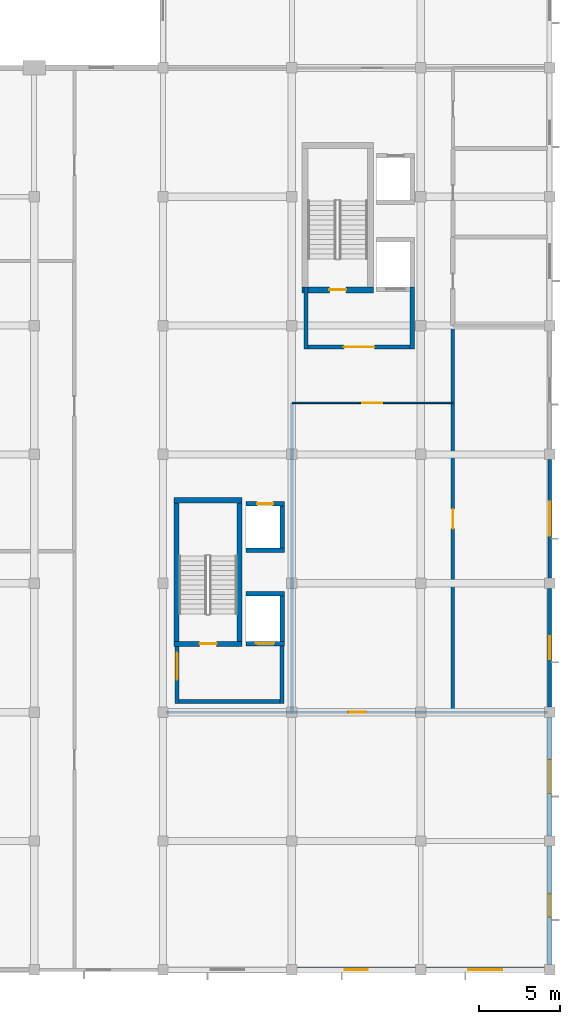
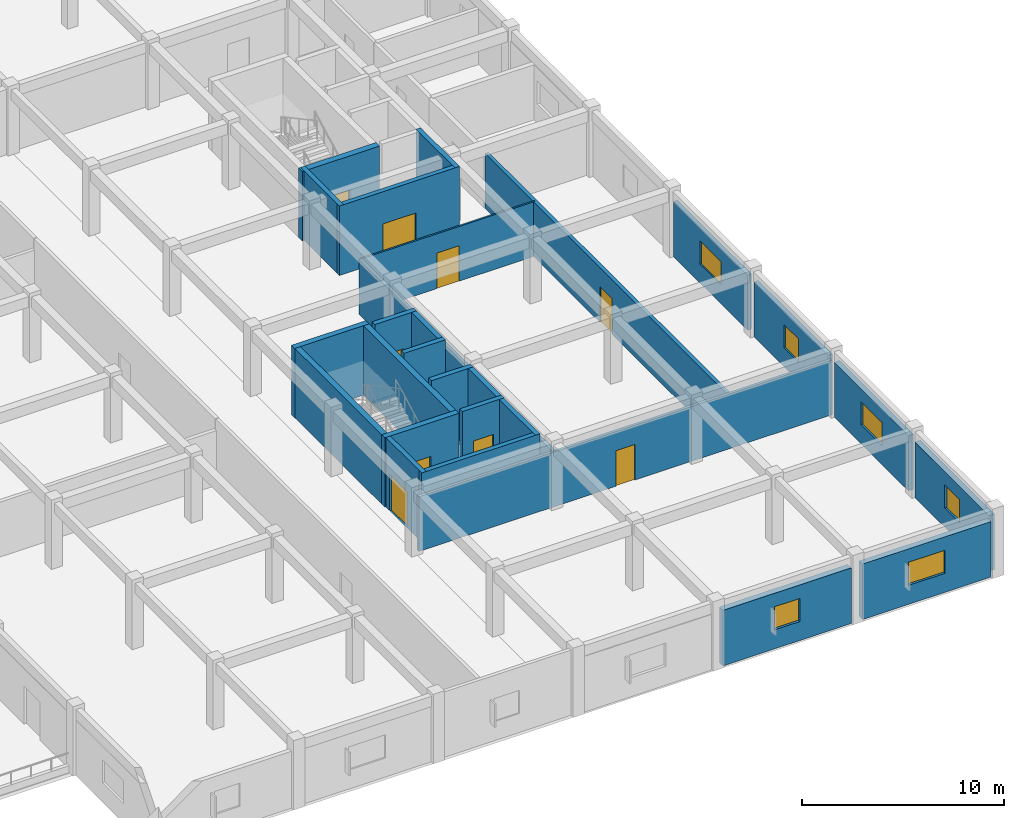
# One storey, part 39 of 54: 27 walls, 9 doors, 6 windows, 15 openings.
"""IFC4 building model written with IfcOpenShell, lengths in metres."""

from ifc_helpers import new_model, si_unit, direction, frame, frame_2d, origin, place, context, subcontext, project, spatial, rectangle, extrude, material, layer, layer_set, type_object, element, fill, save


model = new_model("IFC4")

# Units and contexts
model_context = context("Model", 3, precision=1e-05, world=origin(), true_north=direction((0.0, 1.0)))
body_context = subcontext(model_context, "Body", "Model", "MODEL_VIEW")
ifc_project = project(units=[si_unit("LENGTHUNIT", "METRE"), si_unit("AREAUNIT", "SQUARE_METRE"), si_unit("VOLUMEUNIT", "CUBIC_METRE"), si_unit("PLANEANGLEUNIT", "RADIAN"), si_unit("MASSUNIT", "GRAM", prefix="KILO")], contexts=[model_context])

# Site, building, storey
site_placement = place(None, origin())
site = spatial("IfcSite", under=ifc_project, at=site_placement, CompositionType="ELEMENT")
building_placement = place(site_placement, origin())
building = spatial("IfcBuilding", under=site, at=building_placement, Name="Kenh Van Central Station", CompositionType="ELEMENT")
storey_placement = place(building_placement, frame((0.0, 0.0, 15.0)))
storey = spatial("IfcBuildingStorey", under=building, at=storey_placement, Name="L03", CompositionType="ELEMENT", Elevation=15.0)

# Wall
ifc_material_1 = material(Name="Lightweight acoustic masonry blockwork", Category="masonry")
ifc_layer_1 = layer(ifc_material_1, 0.18994140625, Name="Lightweight acoustic masonry blockwork")
ifc_layer_set_1 = layer_set([ifc_layer_1], Name="Lightweight acoustic masonry blockwork")
wall_type_1 = type_object("IfcWallType", Name="WL-COMP-190", PredefinedType="SOLIDWALL", material=ifc_layer_set_1)
wall_1_placement = place(storey_placement, frame((160.0, 24.02001953125, 0.0), z_axis=(0.0, 0.0, 1.0), x_axis=(0.0, 1.0, 0.0)))
element("IfcWall", 1, at=wall_1_placement, inside=storey, type_object=wall_type_1, Name="L03 interior wall 0177", PredefinedType="SOLIDWALL", context=body_context, shape_type="SweptSolid", body=[
    extrude(rectangle(XDim=19.159912109375, YDim=0.18994140625, at=frame_2d((9.580078125, 0.0))), origin(), (0.0, 0.0, 1.0), 3.31005859375),
])

# Wall, opening, door
ifc_layer_2 = layer(ifc_material_1, 0.2099609375, Name="Lightweight acoustic masonry blockwork")
ifc_layer_set_2 = layer_set([ifc_layer_2], Name="Lightweight acoustic masonry blockwork")
wall_type_2 = type_object("IfcWallType", Name="WL-COMP-210", PredefinedType="SOLIDWALL", material=ifc_layer_set_2)
wall_2_placement = place(storey_placement, frame((170.0, 24.02001953125, 0.0), z_axis=(0.0, 0.0, 1.0), x_axis=(0.0, 1.0, 0.0)))
wall_2 = element("IfcWall", 2, at=wall_2_placement, inside=storey, type_object=wall_type_2, Name="L03 interior wall 0178", PredefinedType="SOLIDWALL", context=body_context, shape_type="SweptSolid", body=[
    extrude(rectangle(XDim=23.9599609375, YDim=0.2099609375, at=frame_2d((11.97998046875, 0.0))), origin(), (0.0, 0.0, 1.0), 3.31005859375),
])
opening_1_placement = place(wall_2_placement, frame((11.3798828125, 0.0, 0.0)))
opening_1 = element("IfcOpeningElement", 3, at=opening_1_placement, cuts=wall_2, Name="Opening D-FD60S", PredefinedType="OPENING", context=body_context, shape_type="SweptSolid", body=[
    extrude(rectangle(XDim=1.199951171875, YDim=2.14990234375, at=frame_2d((0.60009765625, 1.074951171875))), frame((0.0, 0.114990234375, 0.0), z_axis=(0.0, -1.0, 0.0), x_axis=(1.0, 0.0, 0.0)), (0.0, 0.0, 1.0), 0.22998046875),
])
ifc_material_2 = material(Name="Champagne anodised aluminium", Category="aluminium")
door_type_1 = type_object("IfcDoorType", Name="DR-FIRE-1200x2150", OperationType="NOTDEFINED", PredefinedType="DOOR", material=ifc_material_2)
door_1_placement = place(opening_1_placement, origin())
door_1 = element("IfcDoor", 4, at=door_1_placement, inside=storey, type_object=door_type_1, Name="L03 interior door 0098", OperationType="SINGLE_SWING_LEFT", OverallHeight=2.14990234375, OverallWidth=1.199951171875, PredefinedType="DOOR", context=body_context, shape_type="SweptSolid", body=[
    extrude(rectangle(XDim=1.199951171875, YDim=2.14990234375, at=frame_2d((0.60009765625, 1.074951171875))), frame((0.0, 0.02490234375, 0.0), z_axis=(0.0, -1.0, 0.0), x_axis=(1.0, 0.0, 0.0)), (0.0, 0.0, 1.0), 0.050048828125),
])
fill(opening_1, door_1)

ifc_material_3 = material(Name="Concrete C40/50", Category="concrete")
ifc_layer_3 = layer(ifc_material_3, 0.280029296875, Name="Concrete C40/50")
ifc_layer_set_3 = layer_set([ifc_layer_3], Name="Concrete C40/50")
wall_type_3 = type_object("IfcWallType", Name="WL-CORE-280", PredefinedType="SHEAR", material=ifc_layer_set_3)
wall_3_placement = place(storey_placement, frame((157.14990234375, 28.260009765625, 0.0), z_axis=(0.0, 0.0, 1.0), x_axis=(1.0, 0.0, 0.0)))
wall_3 = element("IfcWall", 5, at=wall_3_placement, inside=storey, type_object=wall_type_3, Name="L03 LIFT-FF1 shaft wall S", PredefinedType="SHEAR", context=body_context, shape_type="SweptSolid", body=[
    extrude(rectangle(XDim=2.380126953125, YDim=0.280029296875, at=frame_2d((1.18994140625, 0.0))), origin(), (0.0, 0.0, 1.0), 4.199951171875),
])
opening_2_placement = place(wall_3_placement, frame((0.614990234375, 0.0, 0.0)))
opening_2 = element("IfcOpeningElement", 6, at=opening_2_placement, cuts=wall_3, Name="Opening LD-FF1", PredefinedType="OPENING", context=body_context, shape_type="SweptSolid", body=[
    extrude(rectangle(XDim=1.14990234375, YDim=2.199951171875, at=frame_2d((0.574951171875, 1.10009765625))), frame((0.0, 0.14990234375, 0.0), z_axis=(0.0, -1.0, 0.0), x_axis=(1.0, 0.0, 0.0)), (0.0, 0.0, 1.0), 0.300048828125),
])
door_type_2 = type_object("IfcDoorType", Name="DR-LIFT-1150x2200", OperationType="SLIDING_TO_LEFT", PredefinedType="DOOR", material=ifc_material_2)
door_2_placement = place(opening_2_placement, origin())
door_2 = element("IfcDoor", 7, at=door_2_placement, inside=storey, type_object=door_type_2, Name="L03 LIFT-FF1 sliding landing door", OperationType="SLIDING_TO_LEFT", OverallHeight=2.199951171875, OverallWidth=1.14990234375, PredefinedType="DOOR", context=body_context, shape_type="SweptSolid", body=[
    extrude(rectangle(XDim=1.14990234375, YDim=2.199951171875, at=frame_2d((0.574951171875, 1.10009765625))), frame((0.0, 0.02490234375, 0.0), z_axis=(0.0, -1.0, 0.0), x_axis=(1.0, 0.0, 0.0)), (0.0, 0.0, 1.0), 0.050048828125),
])
fill(opening_2, door_2)

# Walls
wall_4_placement = place(storey_placement, frame((157.14990234375, 31.340087890625, 0.0), z_axis=(0.0, 0.0, 1.0), x_axis=(1.0, 0.0, 0.0)))
element("IfcWall", 8, at=wall_4_placement, inside=storey, type_object=wall_type_3, Name="L03 LIFT-FF1 shaft wall N", PredefinedType="SHEAR", context=body_context, shape_type="SweptSolid", body=[
    extrude(rectangle(XDim=2.380126953125, YDim=0.280029296875, at=frame_2d((1.18994140625, 0.0))), origin(), (0.0, 0.0, 1.0), 4.199951171875),
])
wall_5_placement = place(storey_placement, frame((159.389892578125, 28.39990234375, 0.0), z_axis=(0.0, 0.0, 1.0), x_axis=(0.0, 1.0, 0.0)))
element("IfcWall", 9, at=wall_5_placement, inside=storey, type_object=wall_type_3, Name="L03 LIFT-FF1 shaft wall E", PredefinedType="SHEAR", context=body_context, shape_type="SweptSolid", body=[
    extrude(rectangle(XDim=2.800048828125, YDim=0.280029296875, at=frame_2d((1.39990234375, 0.0))), origin(), (0.0, 0.0, 1.0), 4.199951171875),
])
wall_6_placement = place(storey_placement, frame((157.14990234375, 34.06005859375, 0.0), z_axis=(0.0, 0.0, 1.0), x_axis=(1.0, 0.0, 0.0)))
element("IfcWall", 10, at=wall_6_placement, inside=storey, type_object=wall_type_3, Name="L03 LIFT-OP1 shaft wall S", PredefinedType="SHEAR", context=body_context, shape_type="SweptSolid", body=[
    extrude(rectangle(XDim=2.380126953125, YDim=0.280029296875, at=frame_2d((1.18994140625, 0.0))), origin(), (0.0, 0.0, 1.0), 4.199951171875),
])

# Wall, opening, door
wall_7_placement = place(storey_placement, frame((157.14990234375, 36.93994140625, 0.0), z_axis=(0.0, 0.0, 1.0), x_axis=(1.0, 0.0, 0.0)))
wall_7 = element("IfcWall", 11, at=wall_7_placement, inside=storey, type_object=wall_type_3, Name="L03 LIFT-OP1 shaft wall N", PredefinedType="SHEAR", context=body_context, shape_type="SweptSolid", body=[
    extrude(rectangle(XDim=2.380126953125, YDim=0.280029296875, at=frame_2d((1.18994140625, 0.0))), origin(), (0.0, 0.0, 1.0), 4.199951171875),
])
opening_3_placement = place(wall_7_placement, frame((0.68994140625, 0.0, 0.0)))
opening_3 = element("IfcOpeningElement", 12, at=opening_3_placement, cuts=wall_7, Name="Opening LD-OP1", PredefinedType="OPENING", context=body_context, shape_type="SweptSolid", body=[
    extrude(rectangle(XDim=1.0, YDim=2.14990234375, at=frame_2d((0.5, 1.074951171875))), frame((0.0, 0.14990234375, 0.0), z_axis=(0.0, -1.0, 0.0), x_axis=(1.0, 0.0, 0.0)), (0.0, 0.0, 1.0), 0.300048828125),
])
door_type_3 = type_object("IfcDoorType", Name="DR-LIFT-1000x2150", OperationType="SLIDING_TO_LEFT", PredefinedType="DOOR", material=ifc_material_2)
door_3_placement = place(opening_3_placement, origin())
door_3 = element("IfcDoor", 13, at=door_3_placement, inside=storey, type_object=door_type_3, Name="L03 LIFT-OP1 sliding landing door", OperationType="SLIDING_TO_LEFT", OverallHeight=2.14990234375, OverallWidth=1.0, PredefinedType="DOOR", context=body_context, shape_type="SweptSolid", body=[
    extrude(rectangle(XDim=1.0, YDim=2.14990234375, at=frame_2d((0.5, 1.074951171875))), frame((0.0, 0.02490234375, 0.0), z_axis=(0.0, -1.0, 0.0), x_axis=(1.0, 0.0, 0.0)), (0.0, 0.0, 1.0), 0.050048828125),
])
fill(opening_3, door_3)

# Wall
wall_8_placement = place(storey_placement, frame((159.389892578125, 34.199951171875, 0.0), z_axis=(0.0, 0.0, 1.0), x_axis=(0.0, 1.0, 0.0)))
element("IfcWall", 14, at=wall_8_placement, inside=storey, type_object=wall_type_3, Name="L03 LIFT-OP1 shaft wall E", PredefinedType="SHEAR", context=body_context, shape_type="SweptSolid", body=[
    extrude(rectangle(XDim=2.60009765625, YDim=0.280029296875, at=frame_2d((1.300048828125, 0.0))), origin(), (0.0, 0.0, 1.0), 4.199951171875),
])

# Wall, opening, door
ifc_layer_4 = layer(ifc_material_3, 0.320068359375, Name="Concrete C40/50")
ifc_layer_set_4 = layer_set([ifc_layer_4], Name="Concrete C40/50")
wall_type_4 = type_object("IfcWallType", Name="WL-CORE-320", PredefinedType="SHEAR", material=ifc_layer_set_4)
wall_9_placement = place(storey_placement, frame((152.679931640625, 28.239990234375, 0.0), z_axis=(0.0, 0.0, 1.0), x_axis=(1.0, 0.0, 0.0)))
wall_9 = element("IfcWall", 15, at=wall_9_placement, inside=storey, type_object=wall_type_4, Name="L03 CORE-09 stair wall S", PredefinedType="SHEAR", context=body_context, shape_type="SweptSolid", body=[
    extrude(rectangle(XDim=4.239990234375, YDim=0.320068359375, at=frame_2d((2.1201171875, 0.0))), origin(), (0.0, 0.0, 1.0), 4.199951171875),
])
opening_4_placement = place(wall_9_placement, frame((1.594970703125, 0.0, 0.0)))
opening_4 = element("IfcOpeningElement", 16, at=opening_4_placement, cuts=wall_9, Name="Opening D-FD60", PredefinedType="OPENING", context=body_context, shape_type="SweptSolid", body=[
    extrude(rectangle(XDim=1.050048828125, YDim=2.14990234375, at=frame_2d((0.52490234375, 1.074951171875))), frame((0.0, 0.169921875, 0.0), z_axis=(0.0, -1.0, 0.0), x_axis=(1.0, 0.0, 0.0)), (0.0, 0.0, 1.0), 0.340087890625),
])
door_type_4 = type_object("IfcDoorType", Name="DR-FIRE-1050x2150", OperationType="NOTDEFINED", PredefinedType="DOOR", material=ifc_material_2)
door_4_placement = place(opening_4_placement, origin())
door_4 = element("IfcDoor", 17, at=door_4_placement, inside=storey, type_object=door_type_4, Name="L03 ST-09 stair door", OperationType="SINGLE_SWING_RIGHT", OverallHeight=2.14990234375, OverallWidth=1.050048828125, PredefinedType="DOOR", context=body_context, shape_type="SweptSolid", body=[
    extrude(rectangle(XDim=1.050048828125, YDim=2.14990234375, at=frame_2d((0.52490234375, 1.074951171875))), frame((0.0, 0.02490234375, 0.0), z_axis=(0.0, -1.0, 0.0), x_axis=(1.0, 0.0, 0.0)), (0.0, 0.0, 1.0), 0.050048828125),
])
fill(opening_4, door_4)

# Walls
wall_10_placement = place(storey_placement, frame((152.679931640625, 37.159912109375, 0.0), z_axis=(0.0, 0.0, 1.0), x_axis=(1.0, 0.0, 0.0)))
element("IfcWall", 18, at=wall_10_placement, inside=storey, type_object=wall_type_4, Name="L03 CORE-09 stair wall N", PredefinedType="SHEAR", context=body_context, shape_type="SweptSolid", body=[
    extrude(rectangle(XDim=4.239990234375, YDim=0.320068359375, at=frame_2d((2.1201171875, 0.0))), origin(), (0.0, 0.0, 1.0), 4.199951171875),
])
for number, where, z_axis, x_axis, name in (
    (19, (152.840087890625, 28.39990234375, 0.0), (0.0, 0.0, 1.0), (0.0, 1.0, 0.0), "L03 CORE-09 stair wall W"),
    (20, (156.760009765625, 28.39990234375, 0.0), (0.0, 0.0, 1.0), (0.0, 1.0, 0.0), "L03 CORE-09 stair wall E"),
):
    element("IfcWall", number, at=place(storey_placement, frame(where, z_axis=z_axis, x_axis=x_axis)), inside=storey, type_object=wall_type_4, Name=name, PredefinedType="SHEAR", context=body_context, shape_type="SweptSolid", body=[
        extrude(rectangle(XDim=8.60009765625, YDim=0.320068359375, at=frame_2d((4.300048828125, 0.0))), origin(), (0.0, 0.0, 1.0), 4.199951171875),
    ])

# Wall, opening, door
ifc_layer_5 = layer(ifc_material_3, 0.360107421875, Name="Concrete C40/50")
ifc_layer_set_5 = layer_set([ifc_layer_5], Name="Concrete C40/50")
wall_type_5 = type_object("IfcWallType", Name="WL-CORE-360", PredefinedType="SHEAR", material=ifc_layer_set_5)
wall_11_placement = place(storey_placement, frame((160.639892578125, 50.219970703125, 0.0), z_axis=(0.0, 0.0, 1.0), x_axis=(1.0, 0.0, 0.0)))
wall_11 = element("IfcWall", 21, at=wall_11_placement, inside=storey, type_object=wall_type_5, Name="L03 CORE-10 stair wall S", PredefinedType="SHEAR", context=body_context, shape_type="SweptSolid", body=[
    extrude(rectangle(XDim=4.420166015625, YDim=0.360107421875, at=frame_2d((2.2099609375, 0.0))), origin(), (0.0, 0.0, 1.0), 4.199951171875),
])
opening_5_placement = place(wall_11_placement, frame((1.68505859375, 0.0, 0.0)))
opening_5 = element("IfcOpeningElement", 22, at=opening_5_placement, cuts=wall_11, Name="Opening D-FD60", PredefinedType="OPENING", context=body_context, shape_type="SweptSolid", body=[
    extrude(rectangle(XDim=1.050048828125, YDim=2.14990234375, at=frame_2d((0.52490234375, 1.074951171875))), frame((0.0, 0.18994140625, 0.0), z_axis=(0.0, -1.0, 0.0), x_axis=(1.0, 0.0, 0.0)), (0.0, 0.0, 1.0), 0.380126953125),
])
door_5_placement = place(opening_5_placement, origin())
door_5 = element("IfcDoor", 23, at=door_5_placement, inside=storey, type_object=door_type_4, Name="L03 ST-10 stair door", OperationType="SINGLE_SWING_RIGHT", OverallHeight=2.14990234375, OverallWidth=1.050048828125, PredefinedType="DOOR", context=body_context, shape_type="SweptSolid", body=[
    extrude(rectangle(XDim=1.050048828125, YDim=2.14990234375, at=frame_2d((0.52490234375, 1.074951171875))), frame((0.0, 0.02490234375, 0.0), z_axis=(0.0, -1.0, 0.0), x_axis=(1.0, 0.0, 0.0)), (0.0, 0.0, 1.0), 0.050048828125),
])
fill(opening_5, door_5)

# Wall, opening, window
ifc_material_4 = material(Name="Saigon buff sandstone and terracotta masonry", Category="masonry")
ifc_layer_6 = layer(ifc_material_4, 0.2900390625, Name="Saigon buff sandstone and terracotta masonry")
ifc_layer_set_6 = layer_set([ifc_layer_6], Name="Saigon buff sandstone and terracotta masonry")
wall_type_6 = type_object("IfcWallType", Name="WL-EXT-290", PredefinedType="STANDARD", material=ifc_layer_set_6)
wall_12_placement = place(storey_placement, frame((176.0, 16.324951171875, 0.0), z_axis=(0.0, 0.0, 1.0), x_axis=(0.0, 1.0, 0.0)))
wall_12 = element("IfcWall", 24, at=wall_12_placement, inside=storey, type_object=wall_type_6, Name="L03 exterior wall 108", PredefinedType="STANDARD", context=body_context, shape_type="SweptSolid", body=[
    extrude(rectangle(XDim=7.35009765625, YDim=0.2900390625, at=frame_2d((3.675048828125, 0.0))), origin(), (0.0, 0.0, 1.0), 3.340087890625),
])
opening_6_placement = place(wall_12_placement, frame((2.625, 0.0, 1.14990234375)))
opening_6 = element("IfcOpeningElement", 25, at=opening_6_placement, cuts=wall_12, Name="Opening WN-18", PredefinedType="OPENING", context=body_context, shape_type="SweptSolid", body=[
    extrude(rectangle(XDim=2.10009765625, YDim=1.39990234375, at=frame_2d((1.050048828125, 0.699951171875))), frame((0.0, 0.155029296875, 0.0), z_axis=(0.0, -1.0, 0.0), x_axis=(1.0, 0.0, 0.0)), (0.0, 0.0, 1.0), 0.31005859375),
])
ifc_material_5 = material(Name="Double-glazed low-E laminated solar glass", Category="glass")
window_type_1 = type_object("IfcWindowType", Name="WN-OP03-2100x1400", PartitioningType="DOUBLE_PANEL_VERTICAL", PredefinedType="WINDOW", material=ifc_material_5)
window_1_placement = place(opening_6_placement, origin())
window_1 = element("IfcWindow", 26, at=window_1_placement, inside=storey, type_object=window_type_1, Name="L03 window 078", OverallHeight=1.39990234375, OverallWidth=2.10009765625, PartitioningType="SINGLE_PANEL", PredefinedType="WINDOW", context=body_context, shape_type="SweptSolid", body=[
    extrude(rectangle(XDim=2.10009765625, YDim=1.39990234375, at=frame_2d((1.050048828125, 0.699951171875))), frame((0.0, 0.030029296875, 0.0), z_axis=(0.0, -1.0, 0.0), x_axis=(1.0, 0.0, 0.0)), (0.0, 0.0, 1.0), 0.06005859375),
])
fill(opening_6, window_1)

ifc_layer_7 = layer(ifc_material_4, 0.31005859375, Name="Saigon buff sandstone and terracotta masonry")
ifc_layer_set_7 = layer_set([ifc_layer_7], Name="Saigon buff sandstone and terracotta masonry")
wall_type_7 = type_object("IfcWallType", Name="WL-EXT-310", PredefinedType="STANDARD", material=ifc_layer_set_7)
wall_13_placement = place(storey_placement, frame((176.0, 8.324951171875, 0.0), z_axis=(0.0, 0.0, 1.0), x_axis=(0.0, 1.0, 0.0)))
wall_13 = element("IfcWall", 27, at=wall_13_placement, inside=storey, type_object=wall_type_7, Name="L03 exterior wall 107", PredefinedType="STANDARD", context=body_context, shape_type="SweptSolid", body=[
    extrude(rectangle(XDim=7.35009765625, YDim=0.31005859375, at=frame_2d((3.675048828125, 0.0))), origin(), (0.0, 0.0, 1.0), 3.360107421875),
])
opening_7_placement = place(wall_13_placement, frame((2.949951171875, 0.0, 1.14990234375)))
opening_7 = element("IfcOpeningElement", 28, at=opening_7_placement, cuts=wall_13, Name="Opening WN-19", PredefinedType="OPENING", context=body_context, shape_type="SweptSolid", body=[
    extrude(rectangle(XDim=1.449951171875, YDim=1.39990234375, at=frame_2d((0.72509765625, 0.699951171875))), frame((0.0, 0.1650390625, 0.0), z_axis=(0.0, -1.0, 0.0), x_axis=(1.0, 0.0, 0.0)), (0.0, 0.0, 1.0), 0.330078125),
])
window_type_2 = type_object("IfcWindowType", Name="WN-OP03-1450x1400", PartitioningType="SINGLE_PANEL", PredefinedType="WINDOW", material=ifc_material_5)
window_2_placement = place(opening_7_placement, origin())
window_2 = element("IfcWindow", 29, at=window_2_placement, inside=storey, type_object=window_type_2, Name="L03 window 077", OverallHeight=1.39990234375, OverallWidth=1.449951171875, PartitioningType="SINGLE_PANEL", PredefinedType="WINDOW", context=body_context, shape_type="SweptSolid", body=[
    extrude(rectangle(XDim=1.449951171875, YDim=1.39990234375, at=frame_2d((0.72509765625, 0.699951171875))), frame((0.0, 0.030029296875, 0.0), z_axis=(0.0, -1.0, 0.0), x_axis=(1.0, 0.0, 0.0)), (0.0, 0.0, 1.0), 0.06005859375),
])
fill(opening_7, window_2)

ifc_layer_8 = layer(ifc_material_4, 0.330078125, Name="Saigon buff sandstone and terracotta masonry")
ifc_layer_set_8 = layer_set([ifc_layer_8], Name="Saigon buff sandstone and terracotta masonry")
wall_type_8 = type_object("IfcWallType", Name="WL-EXT-330", PredefinedType="STANDARD", material=ifc_layer_set_8)
wall_14_placement = place(storey_placement, frame((168.324951171875, 8.0, 0.0), z_axis=(0.0, 0.0, 1.0), x_axis=(1.0, 0.0, 0.0)))
wall_14 = element("IfcWall", 30, at=wall_14_placement, inside=storey, type_object=wall_type_8, Name="L03 exterior wall 106", PredefinedType="STANDARD", context=body_context, shape_type="SweptSolid", body=[
    extrude(rectangle(XDim=7.35009765625, YDim=0.330078125, at=frame_2d((3.675048828125, 0.0))), origin(), (0.0, 0.0, 1.0), 3.360107421875),
])
opening_8_placement = place(wall_14_placement, frame((2.625, 0.0, 1.14990234375)))
opening_8 = element("IfcOpeningElement", 31, at=opening_8_placement, cuts=wall_14, Name="Opening WN-18", PredefinedType="OPENING", context=body_context, shape_type="SweptSolid", body=[
    extrude(rectangle(XDim=2.10009765625, YDim=1.39990234375, at=frame_2d((1.050048828125, 0.699951171875))), frame((0.0, 0.175048828125, 0.0), z_axis=(0.0, -1.0, 0.0), x_axis=(1.0, 0.0, 0.0)), (0.0, 0.0, 1.0), 0.35009765625),
])
window_3_placement = place(opening_8_placement, origin())
window_3 = element("IfcWindow", 32, at=window_3_placement, inside=storey, type_object=window_type_1, Name="L03 window 076", OverallHeight=1.39990234375, OverallWidth=2.10009765625, PartitioningType="SINGLE_PANEL", PredefinedType="WINDOW", context=body_context, shape_type="SweptSolid", body=[
    extrude(rectangle(XDim=2.10009765625, YDim=1.39990234375, at=frame_2d((1.050048828125, 0.699951171875))), frame((0.0, 0.030029296875, 0.0), z_axis=(0.0, -1.0, 0.0), x_axis=(1.0, 0.0, 0.0)), (0.0, 0.0, 1.0), 0.06005859375),
])
fill(opening_8, window_3)

ifc_layer_9 = layer(ifc_material_4, 0.35009765625, Name="Saigon buff sandstone and terracotta masonry")
ifc_layer_set_9 = layer_set([ifc_layer_9], Name="Saigon buff sandstone and terracotta masonry")
wall_type_9 = type_object("IfcWallType", Name="WL-EXT-350", PredefinedType="STANDARD", material=ifc_layer_set_9)
wall_15_placement = place(storey_placement, frame((160.324951171875, 8.0, 0.0), z_axis=(0.0, 0.0, 1.0), x_axis=(1.0, 0.0, 0.0)))
wall_15 = element("IfcWall", 33, at=wall_15_placement, inside=storey, type_object=wall_type_9, Name="L03 exterior wall 105", PredefinedType="STANDARD", context=body_context, shape_type="SweptSolid", body=[
    extrude(rectangle(XDim=7.35009765625, YDim=0.35009765625, at=frame_2d((3.675048828125, 0.0))), origin(), (0.0, 0.0, 1.0), 3.364990234375),
])
opening_9_placement = place(wall_15_placement, frame((2.949951171875, 0.0, 1.14990234375)))
opening_9 = element("IfcOpeningElement", 34, at=opening_9_placement, cuts=wall_15, Name="Opening WN-19", PredefinedType="OPENING", context=body_context, shape_type="SweptSolid", body=[
    extrude(rectangle(XDim=1.449951171875, YDim=1.39990234375, at=frame_2d((0.72509765625, 0.699951171875))), frame((0.0, 0.18505859375, 0.0), z_axis=(0.0, -1.0, 0.0), x_axis=(1.0, 0.0, 0.0)), (0.0, 0.0, 1.0), 0.3701171875),
])
window_4_placement = place(opening_9_placement, origin())
window_4 = element("IfcWindow", 35, at=window_4_placement, inside=storey, type_object=window_type_2, Name="L03 window 075", OverallHeight=1.39990234375, OverallWidth=1.449951171875, PartitioningType="SINGLE_PANEL", PredefinedType="WINDOW", context=body_context, shape_type="SweptSolid", body=[
    extrude(rectangle(XDim=1.449951171875, YDim=1.39990234375, at=frame_2d((0.72509765625, 0.699951171875))), frame((0.0, 0.030029296875, 0.0), z_axis=(0.0, -1.0, 0.0), x_axis=(1.0, 0.0, 0.0)), (0.0, 0.0, 1.0), 0.06005859375),
])
fill(opening_9, window_4)

# Wall
ifc_layer_10 = layer(ifc_material_3, 0.260009765625, Name="Concrete C40/50")
ifc_layer_set_10 = layer_set([ifc_layer_10], Name="Concrete C40/50")
wall_type_10 = type_object("IfcWallType", Name="WL-FIRE-260", PredefinedType="SHEAR", material=ifc_layer_set_10)
wall_16_placement = place(storey_placement, frame((159.510009765625, 24.669921875, 0.0), z_axis=(0.0, 0.0, 1.0), x_axis=(-1.0, 0.0, 0.0)))
element("IfcWall", 36, at=wall_16_placement, inside=storey, type_object=wall_type_10, Name="L03 CORE-09 lobby wall S", PredefinedType="SHEAR", context=body_context, shape_type="SweptSolid", body=[
    extrude(rectangle(XDim=6.77001953125, YDim=0.260009765625, at=frame_2d((3.385009765625, 0.0))), origin(), (0.0, 0.0, 1.0), 4.199951171875),
])

# Wall, opening, door
wall_17_placement = place(storey_placement, frame((152.8701171875, 24.5400390625, 0.0), z_axis=(0.0, 0.0, 1.0), x_axis=(0.0, 1.0, 0.0)))
wall_17 = element("IfcWall", 37, at=wall_17_placement, inside=storey, type_object=wall_type_10, Name="L03 CORE-09 lobby wall W", PredefinedType="SHEAR", context=body_context, shape_type="SweptSolid", body=[
    extrude(rectangle(XDim=3.85986328125, YDim=0.260009765625, at=frame_2d((1.929931640625, 0.0))), origin(), (0.0, 0.0, 1.0), 4.199951171875),
])
opening_10_placement = place(wall_17_placement, frame((1.4599609375, 0.0, 0.0)))
opening_10 = element("IfcOpeningElement", 38, at=opening_10_placement, cuts=wall_17, Name="Opening D-FD60D", PredefinedType="OPENING", context=body_context, shape_type="SweptSolid", body=[
    extrude(rectangle(XDim=1.699951171875, YDim=2.199951171875, at=frame_2d((0.85009765625, 1.10009765625))), frame((0.0, 0.139892578125, 0.0), z_axis=(0.0, -1.0, 0.0), x_axis=(1.0, 0.0, 0.0)), (0.0, 0.0, 1.0), 0.280029296875),
])
door_type_5 = type_object("IfcDoorType", Name="DR-FIRE-1700x2200", OperationType="DOUBLE_DOOR_SINGLE_SWING", PredefinedType="DOOR", material=ifc_material_2)
door_6_placement = place(opening_10_placement, origin())
door_6 = element("IfcDoor", 39, at=door_6_placement, inside=storey, type_object=door_type_5, Name="L03 CORE-09 smoke-stop lobby door", OperationType="DOUBLE_DOOR_SINGLE_SWING", OverallHeight=2.199951171875, OverallWidth=1.699951171875, PredefinedType="DOOR", context=body_context, shape_type="SweptSolid", body=[
    extrude(rectangle(XDim=1.699951171875, YDim=2.199951171875, at=frame_2d((0.85009765625, 1.10009765625))), frame((0.0, 0.02490234375, 0.0), z_axis=(0.0, -1.0, 0.0), x_axis=(1.0, 0.0, 0.0)), (0.0, 0.0, 1.0), 0.050048828125),
])
fill(opening_10, door_6)

# Wall
wall_18_placement = place(storey_placement, frame((159.3798828125, 24.5400390625, 0.0), z_axis=(0.0, 0.0, 1.0), x_axis=(0.0, 1.0, 0.0)))
element("IfcWall", 40, at=wall_18_placement, inside=storey, type_object=wall_type_10, Name="L03 CORE-09 lobby wall E", PredefinedType="SHEAR", context=body_context, shape_type="SweptSolid", body=[
    extrude(rectangle(XDim=3.85986328125, YDim=0.260009765625, at=frame_2d((1.929931640625, 0.0))), origin(), (0.0, 0.0, 1.0), 4.199951171875),
])

# Wall, opening, door
wall_19_placement = place(storey_placement, frame((167.610107421875, 46.669921875, 0.0), z_axis=(0.0, 0.0, 1.0), x_axis=(-1.0, 0.0, 0.0)))
wall_19 = element("IfcWall", 41, at=wall_19_placement, inside=storey, type_object=wall_type_10, Name="L03 CORE-10 lobby wall S", PredefinedType="SHEAR", context=body_context, shape_type="SweptSolid", body=[
    extrude(rectangle(XDim=6.8701171875, YDim=0.260009765625, at=frame_2d((3.43505859375, 0.0))), origin(), (0.0, 0.0, 1.0), 4.199951171875),
])
opening_11_placement = place(wall_19_placement, frame((2.485107421875, 0.0, 0.0)))
opening_11 = element("IfcOpeningElement", 42, at=opening_11_placement, cuts=wall_19, Name="Opening D-FD60W", PredefinedType="OPENING", context=body_context, shape_type="SweptSolid", body=[
    extrude(rectangle(XDim=1.89990234375, YDim=2.25, at=frame_2d((0.949951171875, 1.125))), frame((0.0, 0.139892578125, 0.0), z_axis=(0.0, -1.0, 0.0), x_axis=(1.0, 0.0, 0.0)), (0.0, 0.0, 1.0), 0.280029296875),
])
door_type_6 = type_object("IfcDoorType", Name="DR-FIRE-1900x2250", OperationType="DOUBLE_DOOR_SINGLE_SWING", PredefinedType="DOOR", material=ifc_material_2)
door_7_placement = place(opening_11_placement, origin())
door_7 = element("IfcDoor", 43, at=door_7_placement, inside=storey, type_object=door_type_6, Name="L03 CORE-10 smoke-stop lobby door", OperationType="DOUBLE_DOOR_SINGLE_SWING", OverallHeight=2.25, OverallWidth=1.89990234375, PredefinedType="DOOR", context=body_context, shape_type="SweptSolid", body=[
    extrude(rectangle(XDim=1.89990234375, YDim=2.25, at=frame_2d((0.949951171875, 1.125))), frame((0.0, 0.02490234375, 0.0), z_axis=(0.0, -1.0, 0.0), x_axis=(1.0, 0.0, 0.0)), (0.0, 0.0, 1.0), 0.050048828125),
])
fill(opening_11, door_7)

# Walls
for number, where, z_axis, x_axis, name in (
    (44, (160.8701171875, 46.5400390625, 0.0), (0.0, 0.0, 1.0), (0.0, 1.0, 0.0), "L03 CORE-10 lobby wall W"),
    (45, (167.47998046875, 46.5400390625, 0.0), (0.0, 0.0, 1.0), (0.0, 1.0, 0.0), "L03 CORE-10 lobby wall E"),
):
    element("IfcWall", number, at=place(storey_placement, frame(where, z_axis=z_axis, x_axis=x_axis)), inside=storey, type_object=wall_type_10, Name=name, PredefinedType="SHEAR", context=body_context, shape_type="SweptSolid", body=[
        extrude(rectangle(XDim=3.85986328125, YDim=0.260009765625, at=frame_2d((1.929931640625, 0.0))), origin(), (0.0, 0.0, 1.0), 4.199951171875),
    ])

# Wall, opening, door
ifc_layer_11 = layer(ifc_material_1, 0.10009765625, Name="Lightweight acoustic masonry blockwork")
ifc_layer_set_11 = layer_set([ifc_layer_11], Name="Lightweight acoustic masonry blockwork")
wall_type_11 = type_object("IfcWallType", Name="WL-PART-100", PredefinedType="PARTITIONING", material=ifc_layer_set_11)
wall_20_placement = place(storey_placement, frame((160.02001953125, 43.199951171875, 0.0), z_axis=(0.0, 0.0, 1.0), x_axis=(1.0, 0.0, 0.0)))
wall_20 = element("IfcWall", 46, at=wall_20_placement, inside=storey, type_object=wall_type_11, Name="L03 interior wall 0209", PredefinedType="PARTITIONING", context=body_context, shape_type="SweptSolid", body=[
    extrude(rectangle(XDim=9.9599609375, YDim=0.10009765625, at=frame_2d((4.97998046875, 0.0))), origin(), (0.0, 0.0, 1.0), 3.31005859375),
])
opening_12_placement = place(wall_20_placement, frame((4.35498046875, 0.0, 0.0)))
opening_12 = element("IfcOpeningElement", 47, at=opening_12_placement, cuts=wall_20, Name="Opening D-IN04", PredefinedType="OPENING", context=body_context, shape_type="SweptSolid", body=[
    extrude(rectangle(XDim=1.25, YDim=2.14990234375, at=frame_2d((0.625, 1.074951171875))), frame((0.0, 0.06005859375, 0.0), z_axis=(0.0, -1.0, 0.0), x_axis=(1.0, 0.0, 0.0)), (0.0, 0.0, 1.0), 0.1201171875),
])
ifc_material_6 = material(Name="Architectural hardwood timber", Category="wood")
door_type_7 = type_object("IfcDoorType", Name="DR-INT-1250x2150", OperationType="NOTDEFINED", PredefinedType="DOOR", material=ifc_material_6)
door_8_placement = place(opening_12_placement, origin())
door_8 = element("IfcDoor", 48, at=door_8_placement, inside=storey, type_object=door_type_7, Name="L03 interior door 0116", OperationType="SINGLE_SWING_LEFT", OverallHeight=2.14990234375, OverallWidth=1.25, PredefinedType="DOOR", context=body_context, shape_type="SweptSolid", body=[
    extrude(rectangle(XDim=1.25, YDim=2.14990234375, at=frame_2d((0.625, 1.074951171875))), frame((0.0, 0.02490234375, 0.0), z_axis=(0.0, -1.0, 0.0), x_axis=(1.0, 0.0, 0.0)), (0.0, 0.0, 1.0), 0.050048828125),
])
fill(opening_12, door_8)

ifc_layer_12 = layer(ifc_material_1, 0.159912109375, Name="Lightweight acoustic masonry blockwork")
ifc_layer_set_12 = layer_set([ifc_layer_12], Name="Lightweight acoustic masonry blockwork")
wall_type_12 = type_object("IfcWallType", Name="WL-PART-160", PredefinedType="PARTITIONING", material=ifc_layer_set_12)
wall_21_placement = place(storey_placement, frame((152.219970703125, 24.0, 0.0), z_axis=(0.0, 0.0, 1.0), x_axis=(1.0, 0.0, 0.0)))
wall_21 = element("IfcWall", 49, at=wall_21_placement, inside=storey, type_object=wall_type_12, Name="L03 interior wall 0176", PredefinedType="PARTITIONING", context=body_context, shape_type="SweptSolid", body=[
    extrude(rectangle(XDim=23.659912109375, YDim=0.159912109375, at=frame_2d((11.830078125, 0.0))), origin(), (0.0, 0.0, 1.0), 3.31005859375),
])
opening_13_placement = place(wall_21_placement, frame((11.2900390625, 0.0, 0.0)))
opening_13 = element("IfcOpeningElement", 50, at=opening_13_placement, cuts=wall_21, Name="Opening D-IN05", PredefinedType="OPENING", context=body_context, shape_type="SweptSolid", body=[
    extrude(rectangle(XDim=1.080078125, YDim=2.14990234375, at=frame_2d((0.5400390625, 1.074951171875))), frame((0.0, 0.08984375, 0.0), z_axis=(0.0, -1.0, 0.0), x_axis=(1.0, 0.0, 0.0)), (0.0, 0.0, 1.0), 0.179931640625),
])
door_type_8 = type_object("IfcDoorType", Name="DR-INT-1080x2150", OperationType="NOTDEFINED", PredefinedType="DOOR", material=ifc_material_6)
door_9_placement = place(opening_13_placement, origin())
door_9 = element("IfcDoor", 51, at=door_9_placement, inside=storey, type_object=door_type_8, Name="L03 interior door 0097", OperationType="SINGLE_SWING_RIGHT", OverallHeight=2.14990234375, OverallWidth=1.080078125, PredefinedType="DOOR", context=body_context, shape_type="SweptSolid", body=[
    extrude(rectangle(XDim=1.080078125, YDim=2.14990234375, at=frame_2d((0.5400390625, 1.074951171875))), frame((0.0, 0.02490234375, 0.0), z_axis=(0.0, -1.0, 0.0), x_axis=(1.0, 0.0, 0.0)), (0.0, 0.0, 1.0), 0.050048828125),
])
fill(opening_13, door_9)

# Wall, opening, window
ifc_material_7 = material(Name="Glazed terracotta architectural masonry", Category="masonry")
ifc_layer_13 = layer(ifc_material_7, 0.219970703125, Name="Glazed terracotta architectural masonry")
ifc_layer_set_13 = layer_set([ifc_layer_13], Name="Glazed terracotta architectural masonry")
wall_type_13 = type_object("IfcWallType", Name="WL-SLD-220", PredefinedType="SOLIDWALL", material=ifc_layer_set_13)
wall_22_placement = place(storey_placement, frame((176.0, 32.324951171875, 0.0), z_axis=(0.0, 0.0, 1.0), x_axis=(0.0, 1.0, 0.0)))
wall_22 = element("IfcWall", 52, at=wall_22_placement, inside=storey, type_object=wall_type_13, Name="L03 exterior wall 110", PredefinedType="SOLIDWALL", context=body_context, shape_type="SweptSolid", body=[
    extrude(rectangle(XDim=7.35009765625, YDim=0.219970703125, at=frame_2d((3.675048828125, 0.0))), origin(), (0.0, 0.0, 1.0), 3.340087890625),
])
opening_14_placement = place(wall_22_placement, frame((2.625, 0.0, 1.14990234375)))
opening_14 = element("IfcOpeningElement", 53, at=opening_14_placement, cuts=wall_22, Name="Opening WN-18", PredefinedType="OPENING", context=body_context, shape_type="SweptSolid", body=[
    extrude(rectangle(XDim=2.10009765625, YDim=1.39990234375, at=frame_2d((1.050048828125, 0.699951171875))), frame((0.0, 0.119873046875, 0.0), z_axis=(0.0, -1.0, 0.0), x_axis=(1.0, 0.0, 0.0)), (0.0, 0.0, 1.0), 0.239990234375),
])
window_5_placement = place(opening_14_placement, origin())
window_5 = element("IfcWindow", 54, at=window_5_placement, inside=storey, type_object=window_type_1, Name="L03 window 080", OverallHeight=1.39990234375, OverallWidth=2.10009765625, PartitioningType="SINGLE_PANEL", PredefinedType="WINDOW", context=body_context, shape_type="SweptSolid", body=[
    extrude(rectangle(XDim=2.10009765625, YDim=1.39990234375, at=frame_2d((1.050048828125, 0.699951171875))), frame((0.0, 0.030029296875, 0.0), z_axis=(0.0, -1.0, 0.0), x_axis=(1.0, 0.0, 0.0)), (0.0, 0.0, 1.0), 0.06005859375),
])
fill(opening_14, window_5)

ifc_layer_14 = layer(ifc_material_7, 0.239990234375, Name="Glazed terracotta architectural masonry")
ifc_layer_set_14 = layer_set([ifc_layer_14], Name="Glazed terracotta architectural masonry")
wall_type_14 = type_object("IfcWallType", Name="WL-SLD-240", PredefinedType="SOLIDWALL", material=ifc_layer_set_14)
wall_23_placement = place(storey_placement, frame((176.0, 24.324951171875, 0.0), z_axis=(0.0, 0.0, 1.0), x_axis=(0.0, 1.0, 0.0)))
wall_23 = element("IfcWall", 55, at=wall_23_placement, inside=storey, type_object=wall_type_14, Name="L03 exterior wall 109", PredefinedType="SOLIDWALL", context=body_context, shape_type="SweptSolid", body=[
    extrude(rectangle(XDim=7.35009765625, YDim=0.239990234375, at=frame_2d((3.675048828125, 0.0))), origin(), (0.0, 0.0, 1.0), 3.340087890625),
])
opening_15_placement = place(wall_23_placement, frame((2.949951171875, 0.0, 1.14990234375)))
opening_15 = element("IfcOpeningElement", 56, at=opening_15_placement, cuts=wall_23, Name="Opening WN-19", PredefinedType="OPENING", context=body_context, shape_type="SweptSolid", body=[
    extrude(rectangle(XDim=1.449951171875, YDim=1.39990234375, at=frame_2d((0.72509765625, 0.699951171875))), frame((0.0, 0.1298828125, 0.0), z_axis=(0.0, -1.0, 0.0), x_axis=(1.0, 0.0, 0.0)), (0.0, 0.0, 1.0), 0.260009765625),
])
window_6_placement = place(opening_15_placement, origin())
window_6 = element("IfcWindow", 57, at=window_6_placement, inside=storey, type_object=window_type_2, Name="L03 window 079", OverallHeight=1.39990234375, OverallWidth=1.449951171875, PartitioningType="SINGLE_PANEL", PredefinedType="WINDOW", context=body_context, shape_type="SweptSolid", body=[
    extrude(rectangle(XDim=1.449951171875, YDim=1.39990234375, at=frame_2d((0.72509765625, 0.699951171875))), frame((0.0, 0.030029296875, 0.0), z_axis=(0.0, -1.0, 0.0), x_axis=(1.0, 0.0, 0.0)), (0.0, 0.0, 1.0), 0.06005859375),
])
fill(opening_15, window_6)

save(model, "model.ifc")
